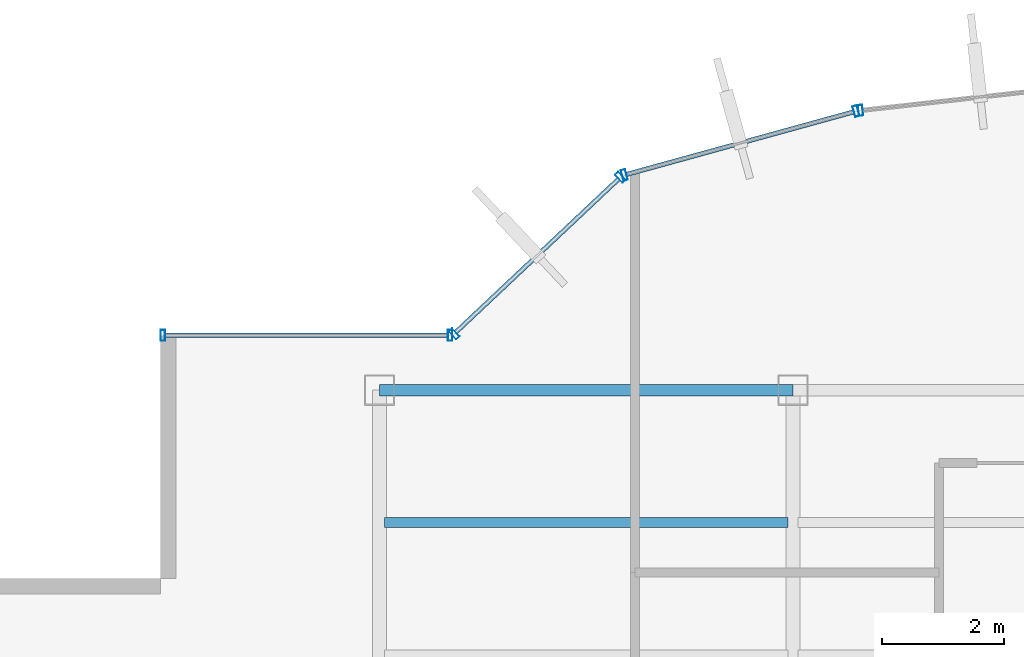
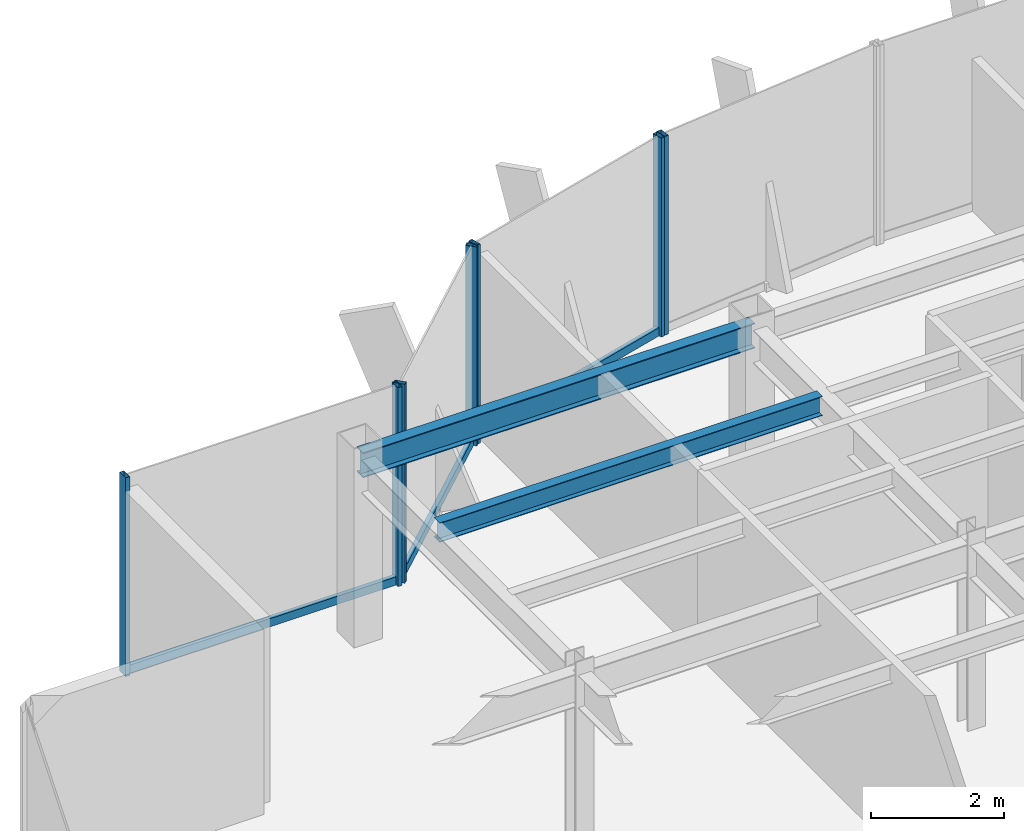
# One storey, part 12 of 22: 10 members, 2 beams, 4 elements without a shape of their own.
"""IFC4 building model written with IfcOpenShell, lengths in metres."""

from ifc_helpers import new_model, si_unit, derived_unit, direction, frame, origin, origin_2d, place, context, subcontext, project, spatial, hollow_rectangle, i_section, extrude, source, transform, mapped, material, material_profile, profile_set, type_object, element, aggregate, save


model = new_model("IFC4")

# Units and contexts
model_context = context("Model", 3, precision=1e-05, world=origin(), true_north=direction((0.0, 1.0)))
body_context = subcontext(model_context, "Body", "Model", "MODEL_VIEW")
ifc_project = project(units=[si_unit("LENGTHUNIT", "METRE"), si_unit("AREAUNIT", "SQUARE_METRE"), si_unit("VOLUMEUNIT", "CUBIC_METRE"), si_unit("PLANEANGLEUNIT", "RADIAN"), si_unit("MASSUNIT", "GRAM", prefix="KILO"), derived_unit("THERMALTRANSMITTANCEUNIT", [(si_unit("POWERUNIT", "WATT"), 1), (si_unit("LENGTHUNIT", "METRE"), -2), (si_unit("THERMODYNAMICTEMPERATUREUNIT", "KELVIN"), -1)])], contexts=[model_context])

# Site, building, storey
site_placement = place(None, origin())
site = spatial("IfcSite", under=ifc_project, at=site_placement, CompositionType="ELEMENT")
building_placement = place(site_placement, origin())
building = spatial("IfcBuilding", under=site, at=building_placement, Name="Skarnbrae Concourse Arena and Tower", CompositionType="ELEMENT")
storey_placement = place(building_placement, frame((0.0, 0.0, 228.75)))
storey = spatial("IfcBuildingStorey", under=building, at=storey_placement, Name="L59", CompositionType="ELEMENT", Elevation=228.75)

# Beams
ifc_material_1 = material(Name="Steel CSA G40.21 350W", Category="steel")
ifc_material_profile_1 = material_profile(ifc_material_1, i_section(OverallWidth=0.19091796875, OverallDepth=0.4599609375, WebThickness=0.010009765625, FlangeThickness=0.01611328125, at=origin_2d()), Name="W460X82")
ifc_profile_set_1 = profile_set([ifc_material_profile_1], Name="Steel CSA G40.21 350W")
beam_type_1 = type_object("IfcBeamType", Name="BM-SPAN-W460X82", PredefinedType="SPANDREL", material=ifc_profile_set_1)
shared_shape_1 = source(origin(), body_context, "Body", "SweptSolid", [
    extrude(i_section(OverallWidth=0.19091796875, OverallDepth=0.4599609375, WebThickness=0.010009765625, FlangeThickness=0.01611328125, at=origin_2d()), origin(), (0.0, 0.0, 1.0), 6.7998046875),
])
beam_1_placement = place(storey_placement, frame((7.60009765625, 34.39990234375, 3.169921875), z_axis=(1.0, 0.0, 0.0), x_axis=(0.0, 1.0, 0.0)))
element("IfcBeam", 1, at=beam_1_placement, inside=storey, type_object=beam_type_1, Name="L59 Perimeter spandrel Y34.4-1", PredefinedType="SPANDREL", context=body_context, shape_type="MappedRepresentation", body=[
    mapped(shared_shape_1, transform((0.0, 0.0, 0.0))),
])
ifc_material_profile_2 = material_profile(ifc_material_1, i_section(OverallWidth=0.1708984375, OverallDepth=0.35498046875, WebThickness=0.007080078125, FlangeThickness=0.01171875, at=origin_2d()), Name="W360X51")
ifc_profile_set_2 = profile_set([ifc_material_profile_2], Name="Steel CSA G40.21 350W")
beam_type_2 = type_object("IfcBeamType", Name="BM-JOIST-W360X51", PredefinedType="JOIST", material=ifc_profile_set_2)
shared_shape_2 = source(origin(), body_context, "Body", "SweptSolid", [
    extrude(i_section(OverallWidth=0.1708984375, OverallDepth=0.35498046875, WebThickness=0.007080078125, FlangeThickness=0.01171875, at=origin_2d()), origin(), (0.0, 0.0, 1.0), 6.64013671875),
])
beam_2_placement = place(storey_placement, frame((7.679931640625, 32.221923828125, 3.222412109375), z_axis=(1.0, 0.0, 0.0), x_axis=(0.0, 1.0, 0.0)))
element("IfcBeam", 2, at=beam_2_placement, inside=storey, type_object=beam_type_2, Name="L59 Secondary floor joist 3.2.1", PredefinedType="JOIST", context=body_context, shape_type="MappedRepresentation", body=[
    mapped(shared_shape_2, transform((0.0, 0.0, 0.0))),
])

# Curtain wall, member
ifc_material_2 = material(Name="Bronze anodised aluminium 6063-T6", Category="aluminium")
curtain_wall_type = type_object("IfcCurtainWallType", Name="CW-SYS-05-HIGHZONE", PredefinedType="USERDEFINED", material=ifc_material_2)
curtain_wall_1_placement = place(storey_placement, origin())
curtain_wall_1 = element("IfcCurtainWall", 3, at=curtain_wall_1_placement, inside=storey, type_object=curtain_wall_type, Name="L59 Unitised curtain wall CW-L59-E12", ObjectType="UNITISED CURTAIN WALL", PredefinedType="USERDEFINED")
ifc_material_profile_3 = material_profile(ifc_material_2, hollow_rectangle(XDim=0.074951171875, YDim=0.179931640625, WallThickness=0.00390625, at=origin_2d()), Name="ALU-MULL-75X180")
ifc_profile_set_3 = profile_set([ifc_material_profile_3], Name="Bronze anodised aluminium 6063-T6")
member_type_1 = type_object("IfcMemberType", Name="CWM-CW-05", PredefinedType="MULLION", material=ifc_profile_set_3)
shared_shape_3 = source(origin(), body_context, "Body", "SweptSolid", [
    extrude(hollow_rectangle(XDim=0.074951171875, YDim=0.179931640625, WallThickness=0.00390625, at=origin_2d()), origin(), (0.0, 0.0, 1.0), 3.64990234375),
])
member_1_placement = place(storey_placement, frame((15.511474609375, 39.001220703125, 0.0), z_axis=(0.0, 0.0, 1.0), x_axis=(-0.993768891873, -0.111460259941, 0.0)))
member_1 = element("IfcMember", 4, at=member_1_placement, type_object=member_type_1, Name="CW-L59-E12 Mullion 2", PredefinedType="MULLION", context=body_context, shape_type="MappedRepresentation", body=[
    mapped(shared_shape_3, transform((0.0, 0.0, 0.0))),
])
aggregate(curtain_wall_1, [member_1])

# Curtain wall, members
curtain_wall_2_placement = place(storey_placement, origin())
curtain_wall_2 = element("IfcCurtainWall", 5, at=curtain_wall_2_placement, inside=storey, type_object=curtain_wall_type, Name="L59 Unitised curtain wall CW-L59-E13", ObjectType="UNITISED CURTAIN WALL", PredefinedType="USERDEFINED")
member_2_placement = place(storey_placement, frame((15.43798828125, 38.987060546875, 0.0), z_axis=(0.0, 0.0, 1.0), x_axis=(-0.964057388766, -0.265694093207, 0.0)))
member_2 = element("IfcMember", 6, at=member_2_placement, type_object=member_type_1, Name="CW-L59-E13 Mullion 1", PredefinedType="MULLION", context=body_context, shape_type="MappedRepresentation", body=[
    mapped(shared_shape_3, transform((0.0, 0.0, 0.0))),
])
member_3_placement = place(storey_placement, frame((11.62646484375, 37.936767578125, 0.0), z_axis=(0.0, 0.0, 1.0), x_axis=(-0.964057388766, -0.265694093207, 0.0)))
member_3 = element("IfcMember", 7, at=member_3_placement, type_object=member_type_1, Name="CW-L59-E13 Mullion 2", PredefinedType="MULLION", context=body_context, shape_type="MappedRepresentation", body=[
    mapped(shared_shape_3, transform((0.0, 0.0, 0.0))),
])

curtain_wall_3_placement = place(storey_placement, origin())
curtain_wall_3 = element("IfcCurtainWall", 8, at=curtain_wall_3_placement, inside=storey, type_object=curtain_wall_type, Name="L59 Unitised curtain wall CW-L59-E14", ObjectType="UNITISED CURTAIN WALL", PredefinedType="USERDEFINED")
member_4_placement = place(storey_placement, frame((11.56298828125, 37.90087890625, 0.0), z_axis=(0.0, 0.0, 1.0), x_axis=(-0.728130555214, -0.685438468838, 0.0)))
member_4 = element("IfcMember", 9, at=member_4_placement, type_object=member_type_1, Name="CW-L59-E14 Mullion 1", PredefinedType="MULLION", context=body_context, shape_type="MappedRepresentation", body=[
    mapped(shared_shape_3, transform((0.0, 0.0, 0.0))),
])
member_5_placement = place(storey_placement, frame((8.827392578125, 35.32568359375, 0.0), z_axis=(0.0, 0.0, 1.0), x_axis=(-0.728130555214, -0.685438468838, 0.0)))
member_5 = element("IfcMember", 10, at=member_5_placement, type_object=member_type_1, Name="CW-L59-E14 Mullion 2", PredefinedType="MULLION", context=body_context, shape_type="MappedRepresentation", body=[
    mapped(shared_shape_3, transform((0.0, 0.0, 0.0))),
])

curtain_wall_4_placement = place(storey_placement, origin())
curtain_wall_4 = element("IfcCurtainWall", 11, at=curtain_wall_4_placement, inside=storey, type_object=curtain_wall_type, Name="L59 Unitised curtain wall CW-L59-E15", ObjectType="UNITISED CURTAIN WALL", PredefinedType="USERDEFINED")
member_6_placement = place(storey_placement, frame((8.762451171875, 35.300048828125, 0.0), z_axis=(0.0, 0.0, 1.0), x_axis=(-1.0, 0.0, 0.0)))
member_6 = element("IfcMember", 12, at=member_6_placement, type_object=member_type_1, Name="CW-L59-E15 Mullion 1", PredefinedType="MULLION", context=body_context, shape_type="MappedRepresentation", body=[
    mapped(shared_shape_3, transform((0.0, 0.0, 0.0))),
])
member_7_placement = place(storey_placement, frame((4.03759765625, 35.300048828125, 0.0), z_axis=(0.0, 0.0, 1.0), x_axis=(-1.0, 0.0, 0.0)))
member_7 = element("IfcMember", 13, at=member_7_placement, type_object=member_type_1, Name="CW-L59-E15 Mullion 2", PredefinedType="MULLION", context=body_context, shape_type="MappedRepresentation", body=[
    mapped(shared_shape_3, transform((0.0, 0.0, 0.0))),
])
ifc_material_profile_4 = material_profile(ifc_material_2, hollow_rectangle(XDim=0.074951171875, YDim=0.14990234375, WallThickness=0.00390625, at=origin_2d()), Name="ALU-TRAN-75X150")
ifc_profile_set_4 = profile_set([ifc_material_profile_4], Name="Bronze anodised aluminium 6063-T6")
member_type_2 = type_object("IfcMemberType", Name="CWT-CW-05", PredefinedType="USERDEFINED", material=ifc_profile_set_4)
shared_shape_4 = source(origin(), body_context, "Body", "SweptSolid", [
    extrude(hollow_rectangle(XDim=0.074951171875, YDim=0.14990234375, WallThickness=0.00390625, at=origin_2d()), origin(), (0.0, 0.0, 1.0), 4.650146484375),
])
member_8_placement = place(storey_placement, frame((8.72509765625, 35.300048828125, 0.074951171875), z_axis=(-1.0, 0.0, 0.0), x_axis=(0.0, -1.0, 0.0)))
member_8 = element("IfcMember", 14, at=member_8_placement, type_object=member_type_2, Name="CW-L59-E15 Transom 1", ObjectType="TRANSOM", PredefinedType="USERDEFINED", context=body_context, shape_type="MappedRepresentation", body=[
    mapped(shared_shape_4, transform((0.0, 0.0, 0.0))),
])
aggregate(curtain_wall_4, [member_6, member_7, member_8])

# Member
shared_shape_5 = source(origin(), body_context, "Body", "SweptSolid", [
    extrude(hollow_rectangle(XDim=0.074951171875, YDim=0.14990234375, WallThickness=0.00390625, at=origin_2d()), origin(), (0.0, 0.0, 1.0), 3.68212890625),
])
member_9_placement = place(storey_placement, frame((11.53564453125, 37.875244140625, 0.074951171875), z_axis=(-0.728133808476, -0.685435012933, 0.0), x_axis=(0.685435012933, -0.728133808476, 0.0)))
member_9 = element("IfcMember", 15, at=member_9_placement, type_object=member_type_2, Name="CW-L59-E14 Transom 1", ObjectType="TRANSOM", PredefinedType="USERDEFINED", context=body_context, shape_type="MappedRepresentation", body=[
    mapped(shared_shape_5, transform((0.0, 0.0, 0.0))),
])

aggregate(curtain_wall_3, [member_4, member_5, member_9])

shared_shape_6 = source(origin(), body_context, "Body", "SweptSolid", [
    extrude(hollow_rectangle(XDim=0.074951171875, YDim=0.14990234375, WallThickness=0.00390625, at=origin_2d()), origin(), (0.0, 0.0, 1.0), 3.878662109375),
])
member_10_placement = place(storey_placement, frame((15.40185546875, 38.977294921875, 0.074951171875), z_axis=(-0.964042677713, -0.265747465742, 0.0), x_axis=(0.265747465742, -0.964042677713, 0.0)))
member_10 = element("IfcMember", 16, at=member_10_placement, type_object=member_type_2, Name="CW-L59-E13 Transom 1", ObjectType="TRANSOM", PredefinedType="USERDEFINED", context=body_context, shape_type="MappedRepresentation", body=[
    mapped(shared_shape_6, transform((0.0, 0.0, 0.0))),
])

aggregate(curtain_wall_2, [member_2, member_3, member_10])

save(model, "model.ifc")
